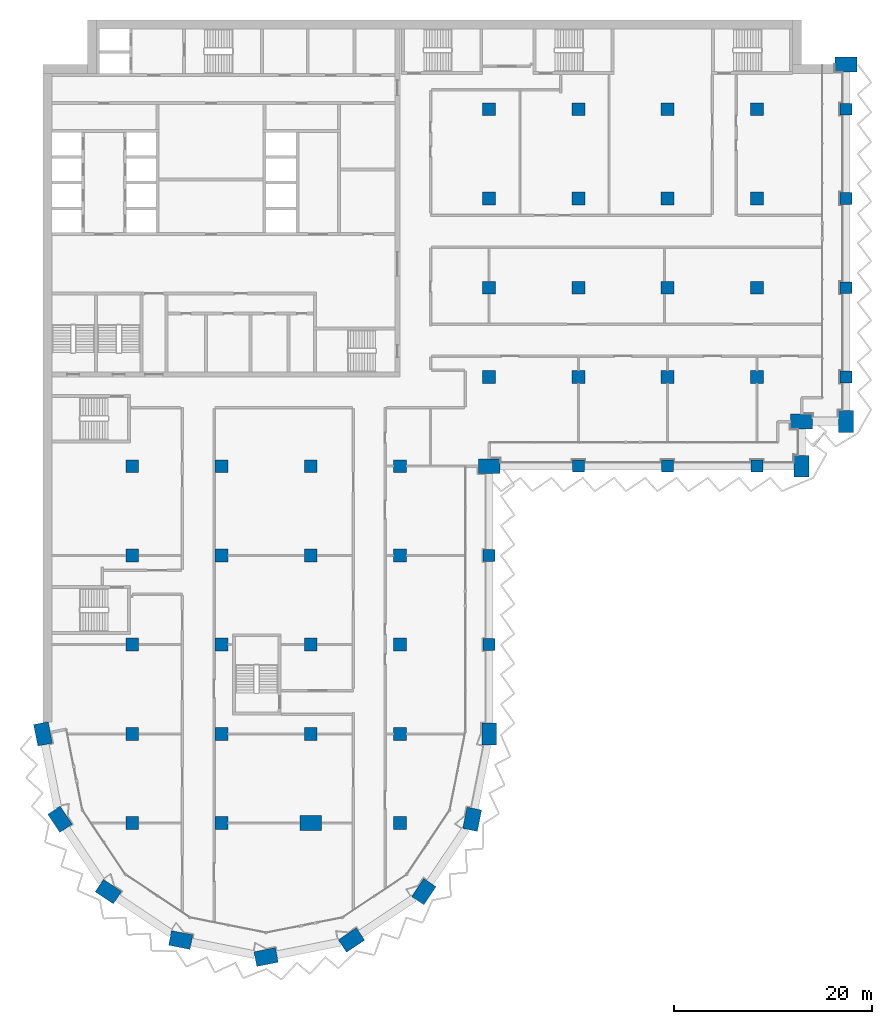
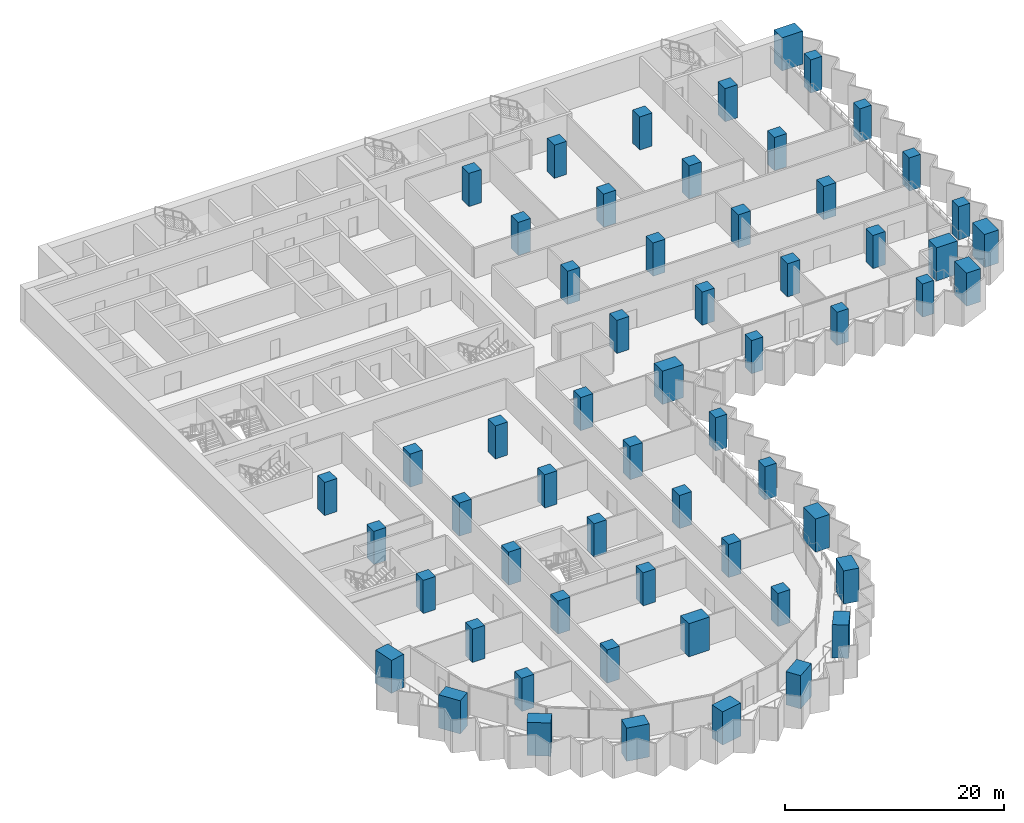
# One storey, part 1 of 23: 59 columns.
"""IFC4 building model written with IfcOpenShell, lengths in metres."""

from ifc_helpers import new_model, si_unit, direction, frame, origin, origin_2d, place, context, subcontext, project, spatial, rectangle, extrude, material, material_profile, profile_set, type_object, element, save


model = new_model("IFC4")

# Units and contexts
model_context = context("Model", 3, precision=1e-05, world=origin(), true_north=direction((0.0, 1.0)))
body_context = subcontext(model_context, "Body", "Model", "MODEL_VIEW")
ifc_project = project(units=[si_unit("LENGTHUNIT", "METRE"), si_unit("AREAUNIT", "SQUARE_METRE"), si_unit("VOLUMEUNIT", "CUBIC_METRE"), si_unit("PLANEANGLEUNIT", "RADIAN"), si_unit("MASSUNIT", "GRAM", prefix="KILO")], contexts=[model_context])

# Site, building, storey
site_placement = place(None, origin())
site = spatial("IfcSite", under=ifc_project, at=site_placement, CompositionType="ELEMENT")
building_placement = place(site_placement, origin())
building = spatial("IfcBuilding", under=site, at=building_placement, Name="Hunhe Ridgeline Campus", CompositionType="ELEMENT")
storey_placement = place(building_placement, frame((0.0, 0.0, 110.699951171875)))
storey = spatial("IfcBuildingStorey", under=building, at=storey_placement, Name="L27", CompositionType="ELEMENT", Elevation=110.699951171875)

# Columns
ifc_material = material(Name="Concrete C70", Category="concrete")
ifc_material_profile_1 = material_profile(ifc_material, rectangle(XDim=2.199951171875, YDim=1.5, at=origin_2d()))
ifc_profile_set_1 = profile_set([ifc_material_profile_1], Name="Concrete C70")
column_type_1 = type_object("IfcColumnType", Name="Megacolumn 2200x1500 Concrete C70", PredefinedType="COLUMN", material=ifc_profile_set_1)
for number, where, z_axis, x_axis, name in (
    (1, (22.5, 4.5, 0.0), (0.0, 0.0, 1.0), (0.980785280403, 0.195090322016, 0.0), "Column C6 R1 L27"),
    (2, (13.8896484375, 6.212646484375, 0.0), (0.0, 0.0, 1.0), (-0.980785280403, 0.195090322016, 0.0), "Column C6 R2 L27"),
    (3, (31.1103515625, 6.212646484375, 0.0), (0.0, 0.0, 1.0), (0.831469612303, 0.55557023302, 0.0), "Column C6 R3 L27"),
    (4, (6.590087890625, 11.090087890625, 0.0), (0.0, 0.0, 1.0), (-0.831469612303, 0.55557023302, 0.0), "Column C6 R4 L27"),
    (5, (38.409912109375, 11.090087890625, 0.0), (0.0, 0.0, 1.0), (0.55557023302, 0.831469612303, 0.0), "Column C6 R5 L27"),
    (6, (1.712646484375, 18.3896484375, 0.0), (0.0, 0.0, 1.0), (-0.55557023302, 0.831469612303, 0.0), "Column C6 R9 L27"),
    (7, (43.287353515625, 18.3896484375, 0.0), (0.0, 0.0, 1.0), (0.195090322016, 0.980785280403, 0.0), "Column C6 R10 L27"),
    (8, (0.0, 27.0, 0.0), (0.0, 0.0, 1.0), (-0.195090322016, 0.980785280403, 0.0), "Column C6 D1 L27"),
    (9, (45.0, 27.0, 0.0), (0.0, 0.0, 1.0), (0.0, 1.0, 0.0), "Column C6 D6 L27"),
    (10, (45.0, 54.0, 0.0), (0.0, 0.0, 1.0), (1.0, 0.0, 0.0), "Column C6 G6 L27"),
    (11, (76.5, 54.0, 0.0), (0.0, 0.0, 1.0), (0.0, 1.0, 0.0), "Column C6 R31 L27"),
    (12, (76.5, 58.5, 0.0), (0.0, 0.0, 1.0), (1.0, 0.0, 0.0), "Column C6 R37 L27"),
    (13, (81.0, 58.5, 0.0), (0.0, 0.0, 1.0), (0.0, 1.0, 0.0), "Column C6 R38 L27"),
    (14, (81.0, 94.5, 0.0), (0.0, 0.0, 1.0), (1.0, 0.0, 0.0), "Column C6 R43 L27"),
    (15, (27.0, 18.0, 0.0), (0.0, 0.0, 1.0), (1.0, 0.0, 0.0), "Column C6 C4 L27"),
):
    element("IfcColumn", number, at=place(storey_placement, frame(where, z_axis=z_axis, x_axis=x_axis)), inside=storey, type_object=column_type_1, Name=name, PredefinedType="COLUMN", context=body_context, shape_type="SweptSolid", body=[
        extrude(rectangle(XDim=2.199951171875, YDim=1.5, at=origin_2d()), origin(), (0.0, 0.0, 1.0), 3.699951171875),
    ])
ifc_material_profile_2 = material_profile(ifc_material, rectangle(XDim=1.199951171875, YDim=1.199951171875, at=origin_2d()))
ifc_profile_set_2 = profile_set([ifc_material_profile_2], Name="Concrete C70")
column_type_2 = type_object("IfcColumnType", Name="RC column 1200x1200 Concrete C70", PredefinedType="COLUMN", material=ifc_profile_set_2)
for number, where, z_axis, x_axis, name in (
    (16, (45.0, 36.0, 0.0), (0.0, 0.0, 1.0), (1.0, 0.0, 0.0), "Column C7 E6 L27"),
    (17, (45.0, 45.0, 0.0), (0.0, 0.0, 1.0), (1.0, 0.0, 0.0), "Column C7 F6 L27"),
    (18, (54.0, 54.0, 0.0), (0.0, 0.0, 1.0), (1.0, 0.0, 0.0), "Column C7 G7 L27"),
    (19, (63.0, 54.0, 0.0), (0.0, 0.0, 1.0), (1.0, 0.0, 0.0), "Column C7 G8 L27"),
    (20, (72.0, 54.0, 0.0), (0.0, 0.0, 1.0), (1.0, 0.0, 0.0), "Column C7 G9 L27"),
    (21, (81.0, 63.0, 0.0), (0.0, 0.0, 1.0), (1.0, 0.0, 0.0), "Column C7 H10 L27"),
    (22, (81.0, 72.0, 0.0), (0.0, 0.0, 1.0), (1.0, 0.0, 0.0), "Column C7 I10 L27"),
    (23, (81.0, 81.0, 0.0), (0.0, 0.0, 1.0), (1.0, 0.0, 0.0), "Column C7 J10 L27"),
    (24, (81.0, 90.0, 0.0), (0.0, 0.0, 1.0), (1.0, 0.0, 0.0), "Column C7 K10 L27"),
):
    element("IfcColumn", number, at=place(storey_placement, frame(where, z_axis=z_axis, x_axis=x_axis)), inside=storey, type_object=column_type_2, Name=name, PredefinedType="COLUMN", context=body_context, shape_type="SweptSolid", body=[
        extrude(rectangle(XDim=1.199951171875, YDim=1.199951171875, at=origin_2d()), origin(), (0.0, 0.0, 1.0), 3.699951171875),
    ])
ifc_material_profile_3 = material_profile(ifc_material, rectangle(XDim=1.300048828125, YDim=1.300048828125, at=origin_2d()))
ifc_profile_set_3 = profile_set([ifc_material_profile_3], Name="Concrete C70")
column_type_3 = type_object("IfcColumnType", Name="RC column 1300x1300 Concrete C70", PredefinedType="COLUMN", material=ifc_profile_set_3)
for number, where, z_axis, x_axis, name in (
    (25, (9.0, 18.0, 0.0), (0.0, 0.0, 1.0), (1.0, 0.0, 0.0), "Column C8 C2 L27"),
    (26, (9.0, 27.0, 0.0), (0.0, 0.0, 1.0), (1.0, 0.0, 0.0), "Column C8 D2 L27"),
    (27, (9.0, 36.0, 0.0), (0.0, 0.0, 1.0), (1.0, 0.0, 0.0), "Column C8 E2 L27"),
    (28, (9.0, 45.0, 0.0), (0.0, 0.0, 1.0), (1.0, 0.0, 0.0), "Column C8 F2 L27"),
    (29, (9.0, 54.0, 0.0), (0.0, 0.0, 1.0), (1.0, 0.0, 0.0), "Column C8 G2 L27"),
    (30, (18.0, 18.0, 0.0), (0.0, 0.0, 1.0), (1.0, 0.0, 0.0), "Column C8 C3 L27"),
    (31, (18.0, 27.0, 0.0), (0.0, 0.0, 1.0), (1.0, 0.0, 0.0), "Column C8 D3 L27"),
    (32, (18.0, 36.0, 0.0), (0.0, 0.0, 1.0), (1.0, 0.0, 0.0), "Column C8 E3 L27"),
    (33, (18.0, 45.0, 0.0), (0.0, 0.0, 1.0), (1.0, 0.0, 0.0), "Column C8 F3 L27"),
    (34, (18.0, 54.0, 0.0), (0.0, 0.0, 1.0), (1.0, 0.0, 0.0), "Column C8 G3 L27"),
    (35, (27.0, 27.0, 0.0), (0.0, 0.0, 1.0), (1.0, 0.0, 0.0), "Column C8 D4 L27"),
    (36, (27.0, 36.0, 0.0), (0.0, 0.0, 1.0), (1.0, 0.0, 0.0), "Column C8 E4 L27"),
    (37, (27.0, 45.0, 0.0), (0.0, 0.0, 1.0), (1.0, 0.0, 0.0), "Column C8 F4 L27"),
    (38, (27.0, 54.0, 0.0), (0.0, 0.0, 1.0), (1.0, 0.0, 0.0), "Column C8 G4 L27"),
    (39, (36.0, 18.0, 0.0), (0.0, 0.0, 1.0), (1.0, 0.0, 0.0), "Column C8 C5 L27"),
    (40, (36.0, 27.0, 0.0), (0.0, 0.0, 1.0), (1.0, 0.0, 0.0), "Column C8 D5 L27"),
    (41, (36.0, 36.0, 0.0), (0.0, 0.0, 1.0), (1.0, 0.0, 0.0), "Column C8 E5 L27"),
    (42, (36.0, 45.0, 0.0), (0.0, 0.0, 1.0), (1.0, 0.0, 0.0), "Column C8 F5 L27"),
    (43, (36.0, 54.0, 0.0), (0.0, 0.0, 1.0), (1.0, 0.0, 0.0), "Column C8 G5 L27"),
    (44, (45.0, 63.0, 0.0), (0.0, 0.0, 1.0), (1.0, 0.0, 0.0), "Column C8 H6 L27"),
    (45, (45.0, 72.0, 0.0), (0.0, 0.0, 1.0), (1.0, 0.0, 0.0), "Column C8 I6 L27"),
    (46, (45.0, 81.0, 0.0), (0.0, 0.0, 1.0), (1.0, 0.0, 0.0), "Column C8 J6 L27"),
    (47, (45.0, 90.0, 0.0), (0.0, 0.0, 1.0), (1.0, 0.0, 0.0), "Column C8 K6 L27"),
    (48, (54.0, 63.0, 0.0), (0.0, 0.0, 1.0), (1.0, 0.0, 0.0), "Column C8 H7 L27"),
    (49, (54.0, 72.0, 0.0), (0.0, 0.0, 1.0), (1.0, 0.0, 0.0), "Column C8 I7 L27"),
    (50, (54.0, 81.0, 0.0), (0.0, 0.0, 1.0), (1.0, 0.0, 0.0), "Column C8 J7 L27"),
    (51, (54.0, 90.0, 0.0), (0.0, 0.0, 1.0), (1.0, 0.0, 0.0), "Column C8 K7 L27"),
    (52, (63.0, 63.0, 0.0), (0.0, 0.0, 1.0), (1.0, 0.0, 0.0), "Column C8 H8 L27"),
    (53, (63.0, 72.0, 0.0), (0.0, 0.0, 1.0), (1.0, 0.0, 0.0), "Column C8 I8 L27"),
    (54, (63.0, 81.0, 0.0), (0.0, 0.0, 1.0), (1.0, 0.0, 0.0), "Column C8 J8 L27"),
    (55, (63.0, 90.0, 0.0), (0.0, 0.0, 1.0), (1.0, 0.0, 0.0), "Column C8 K8 L27"),
    (56, (72.0, 63.0, 0.0), (0.0, 0.0, 1.0), (1.0, 0.0, 0.0), "Column C8 H9 L27"),
    (57, (72.0, 72.0, 0.0), (0.0, 0.0, 1.0), (1.0, 0.0, 0.0), "Column C8 I9 L27"),
    (58, (72.0, 81.0, 0.0), (0.0, 0.0, 1.0), (1.0, 0.0, 0.0), "Column C8 J9 L27"),
    (59, (72.0, 90.0, 0.0), (0.0, 0.0, 1.0), (1.0, 0.0, 0.0), "Column C8 K9 L27"),
):
    element("IfcColumn", number, at=place(storey_placement, frame(where, z_axis=z_axis, x_axis=x_axis)), inside=storey, type_object=column_type_3, Name=name, PredefinedType="COLUMN", context=body_context, shape_type="SweptSolid", body=[
        extrude(rectangle(XDim=1.300048828125, YDim=1.300048828125, at=origin_2d()), origin(), (0.0, 0.0, 1.0), 3.699951171875),
    ])

save(model, "model.ifc")
